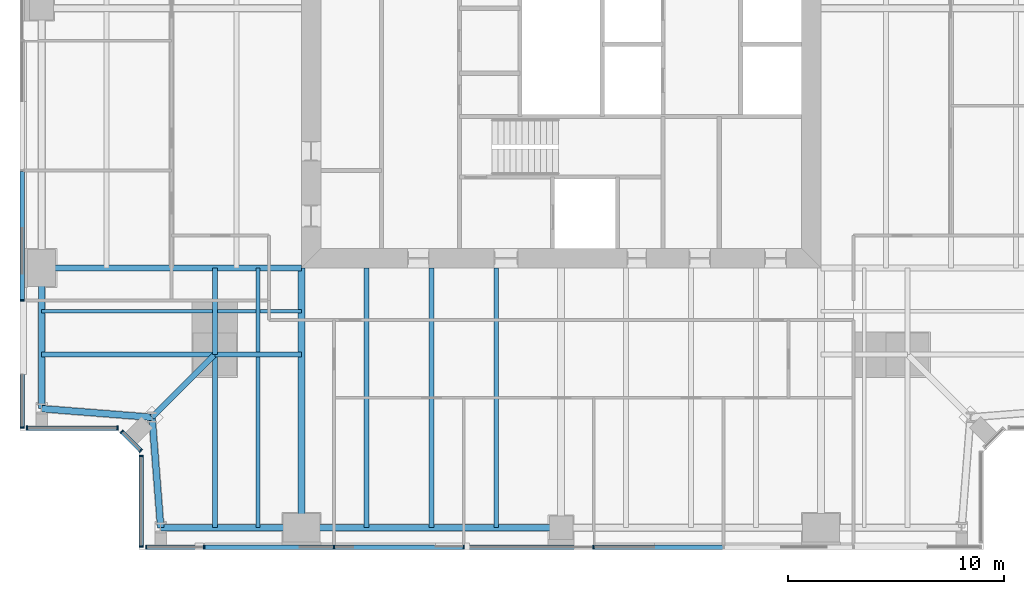
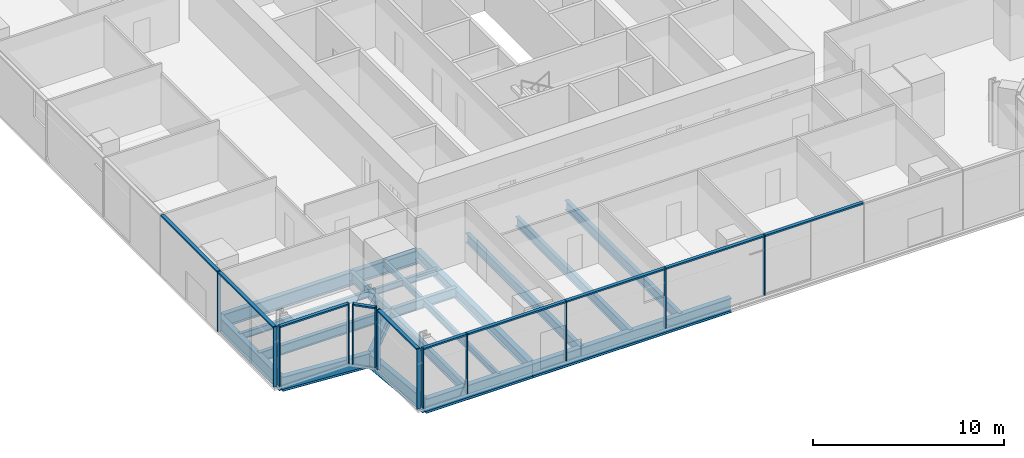
# One storey, part 2 of 14: 23 members, 20 beams, 5 elements without a shape of their own.
"""IFC4 building model written with IfcOpenShell, lengths in metres."""

from ifc_helpers import new_model, si_unit, direction, frame, origin, origin_2d, place, context, subcontext, project, spatial, rectangle, i_section, extrude, material, material_profile, profile_set, type_object, element, aggregate, save


model = new_model("IFC4")

# Units and contexts
model_context = context("Model", 3, precision=1e-05, world=origin(), true_north=direction((0.0, 1.0)))
body_context = subcontext(model_context, "Body", "Model", "MODEL_VIEW")
ifc_project = project(units=[si_unit("LENGTHUNIT", "METRE"), si_unit("AREAUNIT", "SQUARE_METRE"), si_unit("VOLUMEUNIT", "CUBIC_METRE"), si_unit("PLANEANGLEUNIT", "RADIAN"), si_unit("MASSUNIT", "GRAM", prefix="KILO")], contexts=[model_context])

# Site, building, storey
site_placement = place(None, origin())
site = spatial("IfcSite", under=ifc_project, at=site_placement, CompositionType="ELEMENT")
building_placement = place(site_placement, origin())
building = spatial("IfcBuilding", under=site, at=building_placement, Name="Fenwick Lantern Interchange", CompositionType="ELEMENT")
storey_placement = place(building_placement, frame((0.0, 0.0, 225.800048828125)))
storey = spatial("IfcBuildingStorey", under=building, at=storey_placement, Name="L53", CompositionType="ELEMENT", Elevation=225.800048828125)

# Beams
ifc_material_1 = material(Name="Steel ASTM A992 Grade 50", Category="steel")
ifc_material_profile_1 = material_profile(ifc_material_1, i_section(OverallWidth=0.3046875, OverallDepth=0.911865234375, WebThickness=0.015869140625, FlangeThickness=0.02392578125, at=origin_2d()), Name="W36X150")
ifc_profile_set_1 = profile_set([ifc_material_profile_1], Name="Steel ASTM A992 Grade 50")
beam_type_1 = type_object("IfcBeamType", Name="EDGE BEAM W36X150", PredefinedType="SPANDREL", material=ifc_profile_set_1)
beam_1_placement = place(storey_placement, frame((6.5, 1.0, -0.60595703125), z_axis=(1.0, 0.0, 0.0), x_axis=(0.0, 1.0, 0.0)))
element("IfcBeam", 1, at=beam_1_placement, inside=storey, type_object=beam_type_1, Name="L53/FR/S/EB1", PredefinedType="SPANDREL", context=body_context, shape_type="SweptSolid", body=[
    extrude(i_section(OverallWidth=0.3046875, OverallDepth=0.911865234375, WebThickness=0.015869140625, FlangeThickness=0.02392578125, at=origin_2d()), origin(), (0.0, 0.0, 1.0), 6.5),
])
beam_2_placement = place(storey_placement, frame((13.0, 1.0, -0.60595703125), z_axis=(1.0, 0.0, 0.0), x_axis=(0.0, 1.0, 0.0)))
element("IfcBeam", 2, at=beam_2_placement, inside=storey, type_object=beam_type_1, Name="L53/FR/S/EB2", PredefinedType="SPANDREL", context=body_context, shape_type="SweptSolid", body=[
    extrude(i_section(OverallWidth=0.3046875, OverallDepth=0.911865234375, WebThickness=0.015869140625, FlangeThickness=0.02392578125, at=origin_2d()), origin(), (0.0, 0.0, 1.0), 12.0),
])
beam_3_placement = place(storey_placement, frame((1.0, 13.0, -0.60595703125), z_axis=(0.0, -1.0, 0.0), x_axis=(1.0, 0.0, 0.0)))
element("IfcBeam", 3, at=beam_3_placement, inside=storey, type_object=beam_type_1, Name="L53/FR/W/EB4", PredefinedType="SPANDREL", context=body_context, shape_type="SweptSolid", body=[
    extrude(i_section(OverallWidth=0.3046875, OverallDepth=0.911865234375, WebThickness=0.015869140625, FlangeThickness=0.02392578125, at=origin_2d()), origin(), (0.0, 0.0, 1.0), 6.5),
])
for number, where, z_axis, x_axis, name in (
    (4, (1.0, 6.5, -0.60595703125), (0.99693998236, -0.078170784639, 0.0), (0.078170784639, 0.99693998236, 0.0), "L53/FR/W/EBR1"),
    (5, (6.10009765625, 6.10009765625, -0.60595703125), (0.078170784639, -0.99693998236, 0.0), (0.99693998236, 0.078170784639, 0.0), "L53/FR/W/EBR2"),
):
    element("IfcBeam", number, at=place(storey_placement, frame(where, z_axis=z_axis, x_axis=x_axis)), inside=storey, type_object=beam_type_1, Name=name, PredefinedType="SPANDREL", context=body_context, shape_type="SweptSolid", body=[
        extrude(i_section(OverallWidth=0.3046875, OverallDepth=0.911865234375, WebThickness=0.015869140625, FlangeThickness=0.02392578125, at=origin_2d()), origin(), (0.0, 0.0, 1.0), 5.11572265625),
    ])
ifc_material_profile_2 = material_profile(ifc_material_1, i_section(OverallWidth=0.22900390625, OverallDepth=0.612060546875, WebThickness=0.011962890625, FlangeThickness=0.01953125, at=origin_2d()), Name="W24X84")
ifc_profile_set_2 = profile_set([ifc_material_profile_2], Name="Steel ASTM A992 Grade 50")
beam_type_2 = type_object("IfcBeamType", Name="FLOOR BEAM W24X84", PredefinedType="BEAM", material=ifc_profile_set_2)
for number, where, z_axis, x_axis, name in (
    (6, (16.0, 1.0, -0.4560546875), (0.0, 1.0, 0.0), (-1.0, 0.0, 0.0), "L53/FR/S/R02"),
    (7, (19.0, 1.0, -0.4560546875), (0.0, 1.0, 0.0), (-1.0, 0.0, 0.0), "L53/FR/S/R03"),
    (8, (22.0, 1.0, -0.4560546875), (0.0, 1.0, 0.0), (-1.0, 0.0, 0.0), "L53/FR/S/R04"),
):
    element("IfcBeam", number, at=place(storey_placement, frame(where, z_axis=z_axis, x_axis=x_axis)), inside=storey, type_object=beam_type_2, Name=name, PredefinedType="BEAM", context=body_context, shape_type="SweptSolid", body=[
        extrude(i_section(OverallWidth=0.22900390625, OverallDepth=0.612060546875, WebThickness=0.011962890625, FlangeThickness=0.01953125, at=origin_2d()), origin(), (0.0, 0.0, 1.0), 12.0),
    ])
ifc_material_profile_3 = material_profile(ifc_material_1, i_section(OverallWidth=0.177734375, OverallDepth=0.406494140625, WebThickness=0.0078125, FlangeThickness=0.012939453125, at=origin_2d()), Name="W16X40")
ifc_profile_set_3 = profile_set([ifc_material_profile_3], Name="Steel ASTM A992 Grade 50")
beam_type_3 = type_object("IfcBeamType", Name="INFILL BEAM W16X40", PredefinedType="JOIST", material=ifc_profile_set_3)
beam_4_placement = place(storey_placement, frame((11.0, 1.0, -0.353271484375), z_axis=(0.0, 1.0, 0.0), x_axis=(-1.0, 0.0, 0.0)))
element("IfcBeam", 9, at=beam_4_placement, inside=storey, type_object=beam_type_3, Name="L53/FR/S/J1", PredefinedType="JOIST", context=body_context, shape_type="SweptSolid", body=[
    extrude(i_section(OverallWidth=0.177734375, OverallDepth=0.406494140625, WebThickness=0.0078125, FlangeThickness=0.012939453125, at=origin_2d()), origin(), (0.0, 0.0, 1.0), 7.885498046875),
])
beam_5_placement = place(storey_placement, frame((11.0, 9.114501953125, -0.353271484375), z_axis=(0.0, 1.0, 0.0), x_axis=(-1.0, 0.0, 0.0)))
element("IfcBeam", 10, at=beam_5_placement, inside=storey, type_object=beam_type_3, Name="L53/FR/S/J2", PredefinedType="JOIST", context=body_context, shape_type="SweptSolid", body=[
    extrude(i_section(OverallWidth=0.177734375, OverallDepth=0.406494140625, WebThickness=0.0078125, FlangeThickness=0.012939453125, at=origin_2d()), origin(), (0.0, 0.0, 1.0), 3.885498046875),
])
beam_6_placement = place(storey_placement, frame((1.0, 11.0, -0.353271484375), z_axis=(1.0, 0.0, 0.0), x_axis=(0.0, 1.0, 0.0)))
element("IfcBeam", 11, at=beam_6_placement, inside=storey, type_object=beam_type_3, Name="L53/FR/S/J3", PredefinedType="JOIST", context=body_context, shape_type="SweptSolid", body=[
    extrude(i_section(OverallWidth=0.177734375, OverallDepth=0.406494140625, WebThickness=0.0078125, FlangeThickness=0.012939453125, at=origin_2d()), origin(), (0.0, 0.0, 1.0), 7.885498046875),
])
beam_7_placement = place(storey_placement, frame((9.114501953125, 11.0, -0.353271484375), z_axis=(1.0, 0.0, 0.0), x_axis=(0.0, 1.0, 0.0)))
element("IfcBeam", 12, at=beam_7_placement, inside=storey, type_object=beam_type_3, Name="L53/FR/S/J4", PredefinedType="JOIST", context=body_context, shape_type="SweptSolid", body=[
    extrude(i_section(OverallWidth=0.177734375, OverallDepth=0.406494140625, WebThickness=0.0078125, FlangeThickness=0.012939453125, at=origin_2d()), origin(), (0.0, 0.0, 1.0), 1.796630859375),
])
beam_8_placement = place(storey_placement, frame((11.0888671875, 11.0, -0.353271484375), z_axis=(1.0, 0.0, 0.0), x_axis=(0.0, 1.0, 0.0)))
element("IfcBeam", 13, at=beam_8_placement, inside=storey, type_object=beam_type_3, Name="L53/FR/S/J5", PredefinedType="JOIST", context=body_context, shape_type="SweptSolid", body=[
    extrude(i_section(OverallWidth=0.177734375, OverallDepth=0.406494140625, WebThickness=0.0078125, FlangeThickness=0.012939453125, at=origin_2d()), origin(), (0.0, 0.0, 1.0), 1.9111328125),
])
ifc_material_profile_4 = material_profile(ifc_material_1, i_section(OverallWidth=0.22900390625, OverallDepth=0.612060546875, WebThickness=0.011962890625, FlangeThickness=0.01953125, at=origin_2d()), Name="W24X84")
ifc_profile_set_4 = profile_set([ifc_material_profile_4], Name="Steel ASTM A992 Grade 50")
beam_type_4 = type_object("IfcBeamType", Name="MEGA COLUMN BEAM W24X84", PredefinedType="BEAM", material=ifc_profile_set_4)
for number, where, z_axis, x_axis, name in (
    (14, (9.0, 9.0, -0.4560546875), (0.0, -1.0, 0.0), (1.0, 0.0, 0.0), "L53/FR/S/MB1"),
    (15, (9.0, 9.0, -0.4560546875), (-1.0, 0.0, 0.0), (0.0, -1.0, 0.0), "L53/FR/S/MB2"),
):
    element("IfcBeam", number, at=place(storey_placement, frame(where, z_axis=z_axis, x_axis=x_axis)), inside=storey, type_object=beam_type_4, Name=name, PredefinedType="BEAM", context=body_context, shape_type="SweptSolid", body=[
        extrude(i_section(OverallWidth=0.22900390625, OverallDepth=0.612060546875, WebThickness=0.011962890625, FlangeThickness=0.01953125, at=origin_2d()), origin(), (0.0, 0.0, 1.0), 8.0),
    ])
for number, where, z_axis, x_axis, name in (
    (16, (9.0, 9.0, -0.4560546875), (1.0, 0.0, 0.0), (0.0, 1.0, 0.0), "L53/FR/S/MB3"),
    (17, (9.0, 9.0, -0.4560546875), (0.0, 1.0, 0.0), (-1.0, 0.0, 0.0), "L53/FR/S/MB4"),
):
    element("IfcBeam", number, at=place(storey_placement, frame(where, z_axis=z_axis, x_axis=x_axis)), inside=storey, type_object=beam_type_4, Name=name, PredefinedType="BEAM", context=body_context, shape_type="SweptSolid", body=[
        extrude(i_section(OverallWidth=0.22900390625, OverallDepth=0.612060546875, WebThickness=0.011962890625, FlangeThickness=0.01953125, at=origin_2d()), origin(), (0.0, 0.0, 1.0), 4.0),
    ])
ifc_material_profile_5 = material_profile(ifc_material_1, i_section(OverallWidth=0.32763671875, OverallDepth=0.622314453125, WebThickness=0.015380859375, FlangeThickness=0.0244140625, at=origin_2d()), Name="W24X131")
ifc_profile_set_5 = profile_set([ifc_material_profile_5], Name="Steel ASTM A992 Grade 50")
beam_type_5 = type_object("IfcBeamType", Name="MOMENT-CONNECTED GIRDER W24X131", PredefinedType="BEAM", material=ifc_profile_set_5)
beam_9_placement = place(storey_placement, frame((13.0, 1.0, -0.461181640625), z_axis=(0.0, 1.0, 0.0), x_axis=(-1.0, 0.0, 0.0)))
element("IfcBeam", 18, at=beam_9_placement, inside=storey, type_object=beam_type_5, Name="L53/FR/S/R01", PredefinedType="BEAM", context=body_context, shape_type="SweptSolid", body=[
    extrude(i_section(OverallWidth=0.32763671875, OverallDepth=0.622314453125, WebThickness=0.015380859375, FlangeThickness=0.0244140625, at=origin_2d()), origin(), (0.0, 0.0, 1.0), 12.0),
])
ifc_material_profile_6 = material_profile(ifc_material_1, i_section(OverallWidth=0.2919921875, OverallDepth=0.845703125, WebThickness=0.015380859375, FlangeThickness=0.0244140625, at=origin_2d()), Name="W33X141")
ifc_profile_set_6 = profile_set([ifc_material_profile_6], Name="Steel ASTM A992 Grade 50")
beam_type_6 = type_object("IfcBeamType", Name="MOMENT-CONNECTED GIRDER W33X141", PredefinedType="BEAM", material=ifc_profile_set_6)
beam_10_placement = place(storey_placement, frame((1.0, 13.0, -0.572998046875), z_axis=(1.0, 0.0, 0.0), x_axis=(0.0, 1.0, 0.0)))
element("IfcBeam", 19, at=beam_10_placement, inside=storey, type_object=beam_type_6, Name="L53/FR/W/R03", PredefinedType="BEAM", context=body_context, shape_type="SweptSolid", body=[
    extrude(i_section(OverallWidth=0.2919921875, OverallDepth=0.845703125, WebThickness=0.015380859375, FlangeThickness=0.0244140625, at=origin_2d()), origin(), (0.0, 0.0, 1.0), 12.0),
])
ifc_material_profile_7 = material_profile(ifc_material_1, i_section(OverallWidth=0.2666015625, OverallDepth=0.7568359375, WebThickness=0.013916015625, FlangeThickness=0.019287109375, at=origin_2d()), Name="W30X108")
ifc_profile_set_7 = profile_set([ifc_material_profile_7], Name="Steel ASTM A992 Grade 50")
beam_type_7 = type_object("IfcBeamType", Name="NOTCH BEAM W30X108", PredefinedType="BEAM", material=ifc_profile_set_7)
beam_11_placement = place(storey_placement, frame((9.0, 9.0, -0.528564453125), z_axis=(-0.707106781187, -0.707106781187, 0.0), x_axis=(0.707106781187, -0.707106781187, 0.0)))
element("IfcBeam", 20, at=beam_11_placement, inside=storey, type_object=beam_type_7, Name="L53/FR/S/TG", PredefinedType="BEAM", context=body_context, shape_type="SweptSolid", body=[
    extrude(i_section(OverallWidth=0.2666015625, OverallDepth=0.7568359375, WebThickness=0.013916015625, FlangeThickness=0.019287109375, at=origin_2d()), origin(), (0.0, 0.0, 1.0), 4.10107421875),
])

# Curtain wall, members
ifc_material_2 = material(Name="Aluminium curtain wall frame", Category="aluminium")
curtain_wall_type = type_object("IfcCurtainWallType", Name="OFFICE CURTAIN WALL", PredefinedType="USERDEFINED", material=ifc_material_2)
curtain_wall_1_placement = place(storey_placement, origin())
curtain_wall_1 = element("IfcCurtainWall", 21, at=curtain_wall_1_placement, inside=storey, type_object=curtain_wall_type, Name="Office curtain wall 01", ObjectType="OFFICE CURTAIN WALL", PredefinedType="USERDEFINED")
ifc_material_3 = material(Name="Aluminium extrusion", Category="aluminium")
ifc_material_profile_8 = material_profile(ifc_material_3, rectangle(XDim=0.199951171875, YDim=0.06494140625, at=origin_2d()), Name="OFFICE CURTAIN WALL MULLION 65 X 200")
ifc_profile_set_8 = profile_set([ifc_material_profile_8], Name="Aluminium extrusion")
member_type_1 = type_object("IfcMemberType", Name="OFFICE CURTAIN WALL MULLION 65 X 200", PredefinedType="MULLION", material=ifc_profile_set_8)
member_1_placement = place(storey_placement, frame((5.83251953125, 0.10009765625, 0.0), z_axis=(0.0, 0.0, 1.0), x_axis=(0.0, 1.0, 0.0)))
member_1 = element("IfcMember", 22, at=member_1_placement, type_object=member_type_1, Name="L53/CW/01/M00", PredefinedType="MULLION", context=body_context, shape_type="SweptSolid", body=[
    extrude(rectangle(XDim=0.199951171875, YDim=0.06494140625, at=origin_2d()), origin(), (0.0, 0.0, 1.0), 3.849853515625),
])
member_2_placement = place(storey_placement, frame((8.5, 0.10009765625, 0.0), z_axis=(0.0, 0.0, 1.0), x_axis=(0.0, 1.0, 0.0)))
member_2 = element("IfcMember", 23, at=member_2_placement, type_object=member_type_1, Name="L53/CW/01/M01", PredefinedType="MULLION", context=body_context, shape_type="SweptSolid", body=[
    extrude(rectangle(XDim=0.199951171875, YDim=0.06494140625, at=origin_2d()), origin(), (0.0, 0.0, 1.0), 3.849853515625),
])
member_3_placement = place(storey_placement, frame((14.5, 0.10009765625, 0.0), z_axis=(0.0, 0.0, 1.0), x_axis=(0.0, 1.0, 0.0)))
member_3 = element("IfcMember", 24, at=member_3_placement, type_object=member_type_1, Name="L53/CW/01/M02", PredefinedType="MULLION", context=body_context, shape_type="SweptSolid", body=[
    extrude(rectangle(XDim=0.199951171875, YDim=0.06494140625, at=origin_2d()), origin(), (0.0, 0.0, 1.0), 3.849853515625),
])
member_4_placement = place(storey_placement, frame((20.5, 0.10009765625, 0.0), z_axis=(0.0, 0.0, 1.0), x_axis=(0.0, 1.0, 0.0)))
member_4 = element("IfcMember", 25, at=member_4_placement, type_object=member_type_1, Name="L53/CW/01/M03", PredefinedType="MULLION", context=body_context, shape_type="SweptSolid", body=[
    extrude(rectangle(XDim=0.199951171875, YDim=0.06494140625, at=origin_2d()), origin(), (0.0, 0.0, 1.0), 3.849853515625),
])
member_5_placement = place(storey_placement, frame((26.5, 0.10009765625, 0.0), z_axis=(0.0, 0.0, 1.0), x_axis=(0.0, 1.0, 0.0)))
member_5 = element("IfcMember", 26, at=member_5_placement, type_object=member_type_1, Name="L53/CW/01/M04", PredefinedType="MULLION", context=body_context, shape_type="SweptSolid", body=[
    extrude(rectangle(XDim=0.199951171875, YDim=0.06494140625, at=origin_2d()), origin(), (0.0, 0.0, 1.0), 3.849853515625),
])

curtain_wall_2_placement = place(storey_placement, origin())
curtain_wall_2 = element("IfcCurtainWall", 27, at=curtain_wall_2_placement, inside=storey, type_object=curtain_wall_type, Name="Office curtain wall 13", ObjectType="OFFICE CURTAIN WALL", PredefinedType="USERDEFINED")
member_6_placement = place(storey_placement, frame((0.10009765625, 11.5, 0.0), z_axis=(0.0, 0.0, 1.0), x_axis=(1.0, 0.0, 0.0)))
member_6 = element("IfcMember", 28, at=member_6_placement, type_object=member_type_1, Name="L53/CW/13/M06", PredefinedType="MULLION", context=body_context, shape_type="SweptSolid", body=[
    extrude(rectangle(XDim=0.199951171875, YDim=0.06494140625, at=origin_2d()), origin(), (0.0, 0.0, 1.0), 3.849853515625),
])
member_7_placement = place(storey_placement, frame((0.10009765625, 5.632568359375, 0.0), z_axis=(0.0, 0.0, 1.0), x_axis=(1.0, 0.0, 0.0)))
member_7 = element("IfcMember", 29, at=member_7_placement, type_object=member_type_1, Name="L53/CW/13/M07", PredefinedType="MULLION", context=body_context, shape_type="SweptSolid", body=[
    extrude(rectangle(XDim=0.199951171875, YDim=0.06494140625, at=origin_2d()), origin(), (0.0, 0.0, 1.0), 3.849853515625),
])

curtain_wall_3_placement = place(storey_placement, origin())
curtain_wall_3 = element("IfcCurtainWall", 30, at=curtain_wall_3_placement, inside=storey, type_object=curtain_wall_type, Name="Office curtain wall 14", ObjectType="OFFICE CURTAIN WALL", PredefinedType="USERDEFINED")
member_8_placement = place(storey_placement, frame((0.33251953125, 5.60009765625, 0.0), z_axis=(0.0, 0.0, 1.0), x_axis=(0.0, 1.0, 0.0)))
member_8 = element("IfcMember", 31, at=member_8_placement, type_object=member_type_1, Name="L53/CW/14/M00", PredefinedType="MULLION", context=body_context, shape_type="SweptSolid", body=[
    extrude(rectangle(XDim=0.199951171875, YDim=0.06494140625, at=origin_2d()), origin(), (0.0, 0.0, 1.0), 3.849853515625),
])
member_9_placement = place(storey_placement, frame((4.509033203125, 5.60009765625, 0.0), z_axis=(0.0, 0.0, 1.0), x_axis=(0.0, 1.0, 0.0)))
member_9 = element("IfcMember", 32, at=member_9_placement, type_object=member_type_1, Name="L53/CW/14/M01", PredefinedType="MULLION", context=body_context, shape_type="SweptSolid", body=[
    extrude(rectangle(XDim=0.199951171875, YDim=0.06494140625, at=origin_2d()), origin(), (0.0, 0.0, 1.0), 3.849853515625),
])

curtain_wall_4_placement = place(storey_placement, origin())
curtain_wall_4 = element("IfcCurtainWall", 33, at=curtain_wall_4_placement, inside=storey, type_object=curtain_wall_type, Name="Office curtain wall 15", ObjectType="OFFICE CURTAIN WALL", PredefinedType="USERDEFINED")
member_10_placement = place(storey_placement, frame((4.705810546875, 5.435546875, 0.0), z_axis=(0.0, 0.0, 1.0), x_axis=(0.707106781187, 0.707106781187, 0.0)))
member_10 = element("IfcMember", 34, at=member_10_placement, type_object=member_type_1, Name="L53/CW/15/M00", PredefinedType="MULLION", context=body_context, shape_type="SweptSolid", body=[
    extrude(rectangle(XDim=0.199951171875, YDim=0.06494140625, at=origin_2d()), origin(), (0.0, 0.0, 1.0), 3.849853515625),
])
member_11_placement = place(storey_placement, frame((5.576904296875, 4.564453125, 0.0), z_axis=(0.0, 0.0, 1.0), x_axis=(0.707106781187, 0.707106781187, 0.0)))
member_11 = element("IfcMember", 35, at=member_11_placement, type_object=member_type_1, Name="L53/CW/15/M01", PredefinedType="MULLION", context=body_context, shape_type="SweptSolid", body=[
    extrude(rectangle(XDim=0.199951171875, YDim=0.06494140625, at=origin_2d()), origin(), (0.0, 0.0, 1.0), 3.849853515625),
])

curtain_wall_5_placement = place(storey_placement, origin())
curtain_wall_5 = element("IfcCurtainWall", 36, at=curtain_wall_5_placement, inside=storey, type_object=curtain_wall_type, Name="Office curtain wall 16", ObjectType="OFFICE CURTAIN WALL", PredefinedType="USERDEFINED")
member_12_placement = place(storey_placement, frame((5.60009765625, 4.308837890625, 0.0), z_axis=(0.0, 0.0, 1.0), x_axis=(1.0, 0.0, 0.0)))
member_12 = element("IfcMember", 37, at=member_12_placement, type_object=member_type_1, Name="L53/CW/16/M00", PredefinedType="MULLION", context=body_context, shape_type="SweptSolid", body=[
    extrude(rectangle(XDim=0.199951171875, YDim=0.06494140625, at=origin_2d()), origin(), (0.0, 0.0, 1.0), 3.849853515625),
])
member_13_placement = place(storey_placement, frame((5.60009765625, 0.132568359375, 0.0), z_axis=(0.0, 0.0, 1.0), x_axis=(1.0, 0.0, 0.0)))
member_13 = element("IfcMember", 38, at=member_13_placement, type_object=member_type_1, Name="L53/CW/16/M01", PredefinedType="MULLION", context=body_context, shape_type="SweptSolid", body=[
    extrude(rectangle(XDim=0.199951171875, YDim=0.06494140625, at=origin_2d()), origin(), (0.0, 0.0, 1.0), 3.849853515625),
])

# Member
ifc_material_profile_9 = material_profile(ifc_material_3, rectangle(XDim=0.199951171875, YDim=0.10009765625, at=origin_2d()), Name="OFFICE CURTAIN WALL TRANSOM 100 X 200")
ifc_profile_set_9 = profile_set([ifc_material_profile_9], Name="Aluminium extrusion")
member_type_2 = type_object("IfcMemberType", Name="OFFICE CURTAIN WALL TRANSOM 100 X 200", PredefinedType="MULLION", material=ifc_profile_set_9)
member_14_placement = place(storey_placement, frame((5.864990234375, 0.10009765625, 3.800048828125), z_axis=(1.0, 0.0, 0.0), x_axis=(0.0, 1.0, 0.0)))
member_14 = element("IfcMember", 39, at=member_14_placement, type_object=member_type_2, Name="L53/CW/01/T00", PredefinedType="MULLION", context=body_context, shape_type="SweptSolid", body=[
    extrude(rectangle(XDim=0.199951171875, YDim=0.10009765625, at=origin_2d()), origin(), (0.0, 0.0, 1.0), 2.6025390625),
])

member_15_placement = place(storey_placement, frame((8.532470703125, 0.10009765625, 3.800048828125), z_axis=(1.0, 0.0, 0.0), x_axis=(0.0, 1.0, 0.0)))
member_15 = element("IfcMember", 40, at=member_15_placement, type_object=member_type_2, Name="L53/CW/01/T01", PredefinedType="MULLION", context=body_context, shape_type="SweptSolid", body=[
    extrude(rectangle(XDim=0.199951171875, YDim=0.10009765625, at=origin_2d()), origin(), (0.0, 0.0, 1.0), 5.93505859375),
])

member_16_placement = place(storey_placement, frame((14.532470703125, 0.10009765625, 3.800048828125), z_axis=(1.0, 0.0, 0.0), x_axis=(0.0, 1.0, 0.0)))
member_16 = element("IfcMember", 41, at=member_16_placement, type_object=member_type_2, Name="L53/CW/01/T02", PredefinedType="MULLION", context=body_context, shape_type="SweptSolid", body=[
    extrude(rectangle(XDim=0.199951171875, YDim=0.10009765625, at=origin_2d()), origin(), (0.0, 0.0, 1.0), 5.93505859375),
])

member_17_placement = place(storey_placement, frame((20.532470703125, 0.10009765625, 3.800048828125), z_axis=(1.0, 0.0, 0.0), x_axis=(0.0, 1.0, 0.0)))
member_17 = element("IfcMember", 42, at=member_17_placement, type_object=member_type_2, Name="L53/CW/01/T03", PredefinedType="MULLION", context=body_context, shape_type="SweptSolid", body=[
    extrude(rectangle(XDim=0.199951171875, YDim=0.10009765625, at=origin_2d()), origin(), (0.0, 0.0, 1.0), 5.93505859375),
])

member_18_placement = place(storey_placement, frame((26.532470703125, 0.10009765625, 3.800048828125), z_axis=(1.0, 0.0, 0.0), x_axis=(0.0, 1.0, 0.0)))
member_18 = element("IfcMember", 43, at=member_18_placement, type_object=member_type_2, Name="L53/CW/01/T04", PredefinedType="MULLION", context=body_context, shape_type="SweptSolid", body=[
    extrude(rectangle(XDim=0.199951171875, YDim=0.10009765625, at=origin_2d()), origin(), (0.0, 0.0, 1.0), 5.93505859375),
])

aggregate(curtain_wall_1, [member_1, member_2, member_3, member_4, member_5, member_14, member_15, member_16, member_17, member_18])

member_19_placement = place(storey_placement, frame((0.10009765625, 17.467529296875, 3.800048828125), z_axis=(0.0, -1.0, 0.0), x_axis=(1.0, 0.0, 0.0)))
member_19 = element("IfcMember", 44, at=member_19_placement, type_object=member_type_2, Name="L53/CW/13/T05", PredefinedType="MULLION", context=body_context, shape_type="SweptSolid", body=[
    extrude(rectangle(XDim=0.199951171875, YDim=0.10009765625, at=origin_2d()), origin(), (0.0, 0.0, 1.0), 5.93505859375),
])

member_20_placement = place(storey_placement, frame((0.10009765625, 11.467529296875, 3.800048828125), z_axis=(0.0, -1.0, 0.0), x_axis=(1.0, 0.0, 0.0)))
member_20 = element("IfcMember", 45, at=member_20_placement, type_object=member_type_2, Name="L53/CW/13/T06", PredefinedType="MULLION", context=body_context, shape_type="SweptSolid", body=[
    extrude(rectangle(XDim=0.199951171875, YDim=0.10009765625, at=origin_2d()), origin(), (0.0, 0.0, 1.0), 5.802490234375),
])

aggregate(curtain_wall_2, [member_6, member_7, member_19, member_20])

member_21_placement = place(storey_placement, frame((0.364990234375, 5.60009765625, 3.800048828125), z_axis=(1.0, 0.0, 0.0), x_axis=(0.0, 1.0, 0.0)))
member_21 = element("IfcMember", 46, at=member_21_placement, type_object=member_type_2, Name="L53/CW/14/T00", PredefinedType="MULLION", context=body_context, shape_type="SweptSolid", body=[
    extrude(rectangle(XDim=0.199951171875, YDim=0.10009765625, at=origin_2d()), origin(), (0.0, 0.0, 1.0), 4.111328125),
])

aggregate(curtain_wall_3, [member_8, member_9, member_21])

member_22_placement = place(storey_placement, frame((4.728759765625, 5.41259765625, 3.800048828125), z_axis=(0.707106781187, -0.707106781187, 0.0), x_axis=(0.707106781187, 0.707106781187, 0.0)))
member_22 = element("IfcMember", 47, at=member_22_placement, type_object=member_type_2, Name="L53/CW/15/T00", PredefinedType="MULLION", context=body_context, shape_type="SweptSolid", body=[
    extrude(rectangle(XDim=0.199951171875, YDim=0.10009765625, at=origin_2d()), origin(), (0.0, 0.0, 1.0), 1.1669921875),
])

aggregate(curtain_wall_4, [member_10, member_11, member_22])

member_23_placement = place(storey_placement, frame((5.60009765625, 4.2763671875, 3.800048828125), z_axis=(0.0, -1.0, 0.0), x_axis=(1.0, 0.0, 0.0)))
member_23 = element("IfcMember", 48, at=member_23_placement, type_object=member_type_2, Name="L53/CW/16/T00", PredefinedType="MULLION", context=body_context, shape_type="SweptSolid", body=[
    extrude(rectangle(XDim=0.199951171875, YDim=0.10009765625, at=origin_2d()), origin(), (0.0, 0.0, 1.0), 4.111328125),
])

aggregate(curtain_wall_5, [member_12, member_13, member_23])

save(model, "model.ifc")
